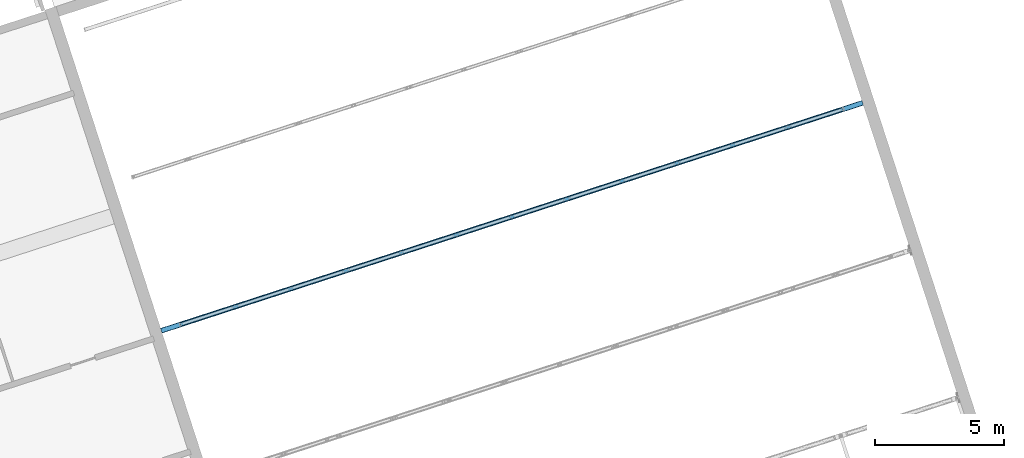
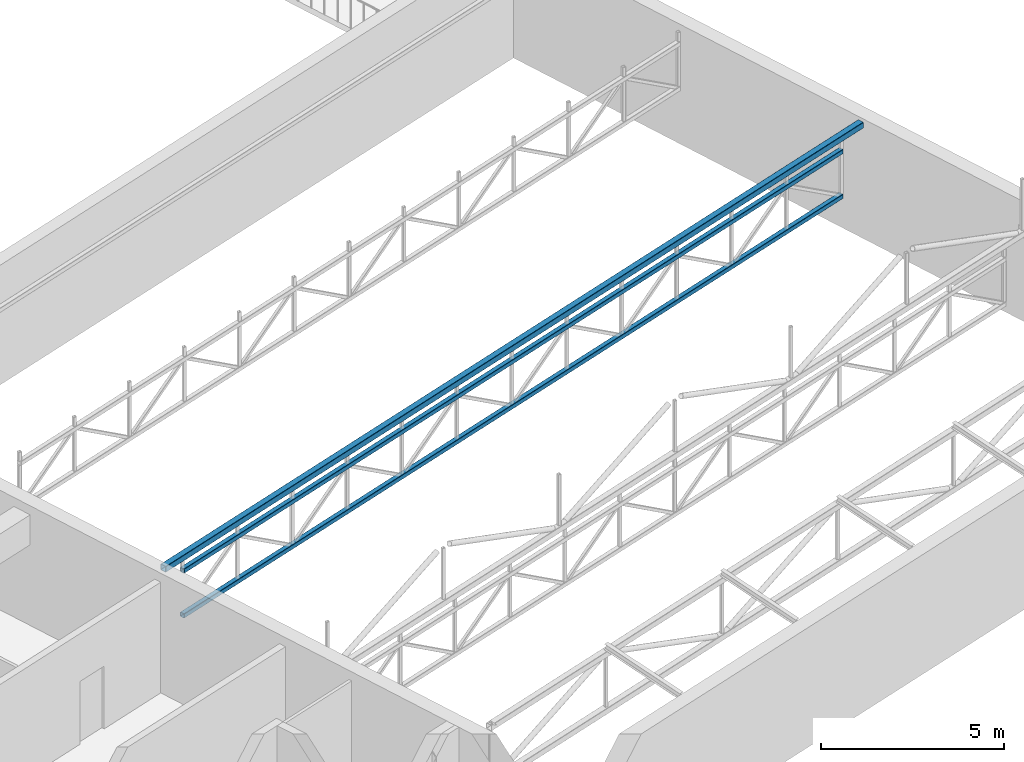
# One storey, part 16 of 81: 3 members.
"""IFC4 building model written with IfcOpenShell, lengths in metres."""

from ifc_helpers import new_model, si_unit, direction, frame, origin, origin_2d, place, context, subcontext, project, spatial, hollow_rectangle, extrude, material, material_profile, profile_set, type_object, element, save


model = new_model("IFC4")

# Units and contexts
model_context = context("Model", 3, precision=1e-05, world=origin(), true_north=direction((0.0, 1.0)))
body_context = subcontext(model_context, "Body", "Model", "MODEL_VIEW")
ifc_project = project(units=[si_unit("LENGTHUNIT", "METRE"), si_unit("AREAUNIT", "SQUARE_METRE"), si_unit("VOLUMEUNIT", "CUBIC_METRE"), si_unit("PLANEANGLEUNIT", "RADIAN"), si_unit("MASSUNIT", "GRAM", prefix="KILO")], contexts=[model_context])

# Site, building, storey
site_placement = place(None, origin())
site = spatial("IfcSite", under=ifc_project, at=site_placement, CompositionType="ELEMENT")
building_placement = place(site_placement, origin())
building = spatial("IfcBuilding", under=site, at=building_placement, Name="Tuart Plaza Theatre", CompositionType="ELEMENT")
storey_placement = place(building_placement, frame((0.0, 0.0, 17.5)))
storey = spatial("IfcBuildingStorey", under=building, at=storey_placement, Name="L04", CompositionType="ELEMENT", Elevation=17.5)

# Members
ifc_material_1 = material(Name="Steel Grade C350L0", Category="steel")
ifc_material_profile_1 = material_profile(ifc_material_1, hollow_rectangle(XDim=0.14990234375, YDim=0.14990234375, WallThickness=0.009033203125, InnerFilletRadius=0.009033203125, OuterFilletRadius=0.01806640625, at=origin_2d()), Name="150x150x9 SHS")
ifc_profile_set_1 = profile_set([ifc_material_profile_1], Name="Steel Grade C350L0")
member_type_1 = type_object("IfcMemberType", Name="MEMBER Chord 150x150x9 SHS", PredefinedType="CHORD", material=ifc_profile_set_1)
for number, where, z_axis, x_axis, name in (
    (1, (46.31591796875, 56.574951171875, 1.816650390625), (0.951056214658, 0.309017922717, 0.0), (-0.309017922717, 0.951056214658, 0.0), "CH30"),
    (2, (46.31591796875, 56.574951171875, 3.316650390625), (0.951056214658, 0.309017922717, 0.0), (-0.309017922717, 0.951056214658, 0.0), "CH31"),
):
    element("IfcMember", number, at=place(storey_placement, frame(where, z_axis=z_axis, x_axis=x_axis)), inside=storey, type_object=member_type_1, Name=name, PredefinedType="CHORD", context=body_context, shape_type="SweptSolid", body=[
        extrude(hollow_rectangle(XDim=0.14990234375, YDim=0.14990234375, WallThickness=0.009033203125, InnerFilletRadius=0.009033203125, OuterFilletRadius=0.01806640625, at=origin_2d()), origin(), (0.0, 0.0, 1.0), 26.974853515625),
    ])
ifc_material_2 = material(Name="Steel Grade C350L0", Category="steel")
ifc_material_profile_2 = material_profile(ifc_material_2, hollow_rectangle(XDim=0.199951171875, YDim=0.199951171875, WallThickness=0.010009765625, InnerFilletRadius=0.010009765625, OuterFilletRadius=0.02001953125, at=origin_2d()), Name="200x200x10 SHS")
ifc_profile_set_2 = profile_set([ifc_material_profile_2], Name="Steel Grade C350L0")
member_type_2 = type_object("IfcMemberType", Name="MEMBER Chord 200x200x10 SHS", PredefinedType="CHORD", material=ifc_profile_set_2)
member_placement = place(storey_placement, frame((45.57861328125, 56.33544921875, 3.79150390625), z_axis=(0.951058825303, 0.309009887888, 0.0), x_axis=(-0.309009887888, 0.951058825303, 0.0)))
element("IfcMember", 3, at=member_placement, inside=storey, type_object=member_type_2, Name="CH5", PredefinedType="CHORD", context=body_context, shape_type="SweptSolid", body=[
    extrude(hollow_rectangle(XDim=0.199951171875, YDim=0.199951171875, WallThickness=0.010009765625, InnerFilletRadius=0.010009765625, OuterFilletRadius=0.02001953125, at=origin_2d()), origin(), (0.0, 0.0, 1.0), 28.550048828125),
])

save(model, "model.ifc")
